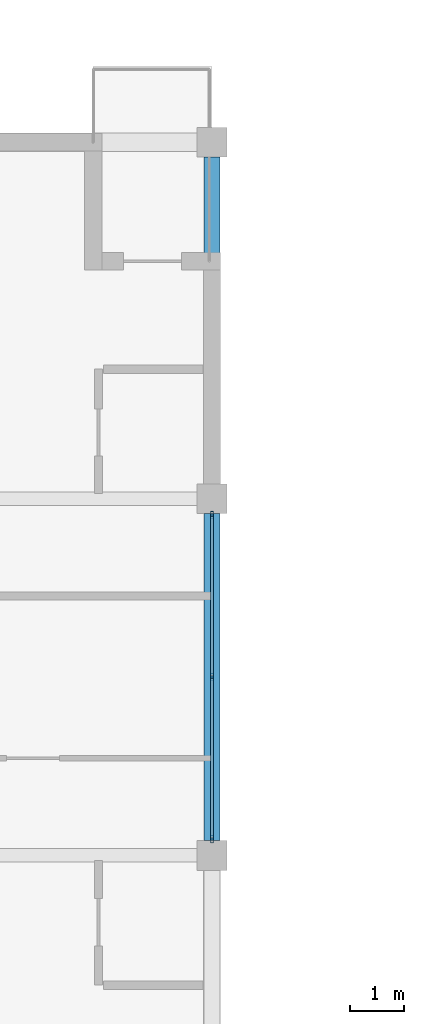
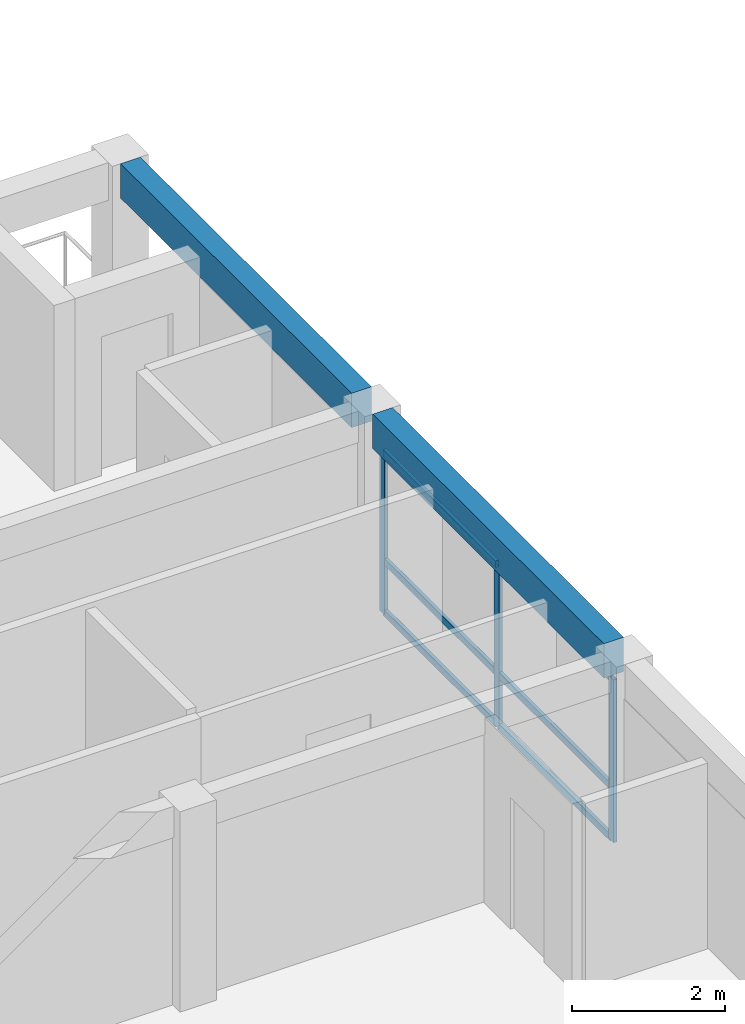
# One storey, part 18 of 53: 9 members, 2 beams, 1 element without a shape of its own.
"""IFC4 building model written with IfcOpenShell, lengths in metres."""

from ifc_helpers import new_model, si_unit, direction, frame, origin, origin_2d, place, context, subcontext, project, spatial, rectangle, hollow_rectangle, extrude, material, material_profile, profile_set, type_object, element, aggregate, save


model = new_model("IFC4")

# Units and contexts
model_context = context("Model", 3, precision=1e-05, world=origin(), true_north=direction((0.0, 1.0)))
body_context = subcontext(model_context, "Body", "Model", "MODEL_VIEW")
ifc_project = project(units=[si_unit("LENGTHUNIT", "METRE"), si_unit("AREAUNIT", "SQUARE_METRE"), si_unit("VOLUMEUNIT", "CUBIC_METRE"), si_unit("PLANEANGLEUNIT", "RADIAN"), si_unit("MASSUNIT", "GRAM", prefix="KILO")], contexts=[model_context])

# Site, building, storey
site_placement = place(None, origin())
site = spatial("IfcSite", under=ifc_project, at=site_placement, CompositionType="ELEMENT")
building_placement = place(site_placement, origin())
building = spatial("IfcBuilding", under=site, at=building_placement, Name="Kernevlak Ridge Housing Community", CompositionType="ELEMENT")
storey_placement = place(building_placement, frame((0.0, 0.0, 24.39990234375)))
storey = spatial("IfcBuildingStorey", under=building, at=storey_placement, Name="L07", CompositionType="ELEMENT", Elevation=24.39990234375)

# Curtain wall, members
ifc_material_1 = material(Name="Aluminium EN AW-6060 anodised and laminated glass", Category="aluminium")
curtain_wall_type = type_object("IfcCurtainWallType", Name="CW-09", PredefinedType="NOTDEFINED", material=ifc_material_1)
curtain_wall_placement = place(storey_placement, origin())
curtain_wall = element("IfcCurtainWall", 1, at=curtain_wall_placement, inside=storey, type_object=curtain_wall_type, Name="Curtain wall CW-09 CW-L07-024", PredefinedType="NOTDEFINED")
ifc_material_2 = material(Name="Aluminium EN AW-6060 anodised", Category="aluminium")
ifc_material_profile_1 = material_profile(ifc_material_2, hollow_rectangle(XDim=0.054931640625, YDim=0.139892578125, WallThickness=0.00390625, InnerFilletRadius=0.001953125, OuterFilletRadius=0.00390625, at=origin_2d()), Name="ALU 55x140x4")
ifc_profile_set_1 = profile_set([ifc_material_profile_1], Name="Aluminium EN AW-6060 anodised")
member_type_1 = type_object("IfcMemberType", Name="MU-01", PredefinedType="MULLION", material=ifc_profile_set_1)
member_1_placement = place(storey_placement, frame((48.60009765625, 82.902587890625, 0.0), z_axis=(0.0, 0.0, 1.0), x_axis=(-1.0, 0.0, 0.0)))
member_1 = element("IfcMember", 2, at=member_1_placement, type_object=member_type_1, Name="CW-09 mullion 1", PredefinedType="MULLION", context=body_context, shape_type="SweptSolid", body=[
    extrude(hollow_rectangle(XDim=0.054931640625, YDim=0.139892578125, WallThickness=0.00390625, InnerFilletRadius=0.001953125, OuterFilletRadius=0.00390625, at=origin_2d()), origin(), (0.0, 0.0, 1.0), 2.60009765625),
])
member_2_placement = place(storey_placement, frame((48.60009765625, 85.89990234375, 0.0), z_axis=(0.0, 0.0, 1.0), x_axis=(-1.0, 0.0, 0.0)))
member_2 = element("IfcMember", 3, at=member_2_placement, type_object=member_type_1, Name="CW-09 mullion 2", PredefinedType="MULLION", context=body_context, shape_type="SweptSolid", body=[
    extrude(hollow_rectangle(XDim=0.054931640625, YDim=0.139892578125, WallThickness=0.00390625, InnerFilletRadius=0.001953125, OuterFilletRadius=0.00390625, at=origin_2d()), origin(), (0.0, 0.0, 1.0), 2.60009765625),
])
member_3_placement = place(storey_placement, frame((48.60009765625, 88.8974609375, 0.0), z_axis=(0.0, 0.0, 1.0), x_axis=(-1.0, 0.0, 0.0)))
member_3 = element("IfcMember", 4, at=member_3_placement, type_object=member_type_1, Name="CW-09 mullion 3", PredefinedType="MULLION", context=body_context, shape_type="SweptSolid", body=[
    extrude(hollow_rectangle(XDim=0.054931640625, YDim=0.139892578125, WallThickness=0.00390625, InnerFilletRadius=0.001953125, OuterFilletRadius=0.00390625, at=origin_2d()), origin(), (0.0, 0.0, 1.0), 2.60009765625),
])

# Beams
ifc_material_3 = material(Name="Concrete C35/45", Category="concrete")
ifc_material_profile_2 = material_profile(ifc_material_3, rectangle(XDim=0.300048828125, YDim=0.550048828125, at=origin_2d()), Name="RC 300x550")
ifc_profile_set_2 = profile_set([ifc_material_profile_2], Name="Concrete C35/45")
beam_type = type_object("IfcBeamType", Name="SP-01", PredefinedType="SPANDREL", material=ifc_profile_set_2)
beam_1_placement = place(storey_placement, frame((48.60009765625, 82.875, 2.925048828125), z_axis=(0.0, 1.0, 0.0), x_axis=(-1.0, 0.0, 0.0)))
element("IfcBeam", 5, at=beam_1_placement, inside=storey, type_object=beam_type, Name="Beam SP-01 L07 263", PredefinedType="SPANDREL", context=body_context, shape_type="SweptSolid", body=[
    extrude(rectangle(XDim=0.300048828125, YDim=0.550048828125, at=origin_2d()), origin(), (0.0, 0.0, 1.0), 6.050048828125),
])
beam_2_placement = place(storey_placement, frame((48.60009765625, 89.47509765625, 2.925048828125), z_axis=(0.0, 1.0, 0.0), x_axis=(-1.0, 0.0, 0.0)))
element("IfcBeam", 6, at=beam_2_placement, inside=storey, type_object=beam_type, Name="Beam SP-01 L07 264", PredefinedType="SPANDREL", context=body_context, shape_type="SweptSolid", body=[
    extrude(rectangle(XDim=0.300048828125, YDim=0.550048828125, at=origin_2d()), origin(), (0.0, 0.0, 1.0), 6.0498046875),
])

# Member
ifc_material_profile_3 = material_profile(ifc_material_2, hollow_rectangle(XDim=0.054931640625, YDim=0.110107421875, WallThickness=0.00390625, InnerFilletRadius=0.001953125, OuterFilletRadius=0.00390625, at=origin_2d()), Name="ALU 55x110x4")
ifc_profile_set_3 = profile_set([ifc_material_profile_3], Name="Aluminium EN AW-6060 anodised")
member_type_2 = type_object("IfcMemberType", Name="TM-01", PredefinedType="USERDEFINED", material=ifc_profile_set_3)
member_4_placement = place(storey_placement, frame((48.60009765625, 82.929931640625, 0.027587890625), z_axis=(0.0, 1.0, 0.0), x_axis=(-1.0, 0.0, 0.0)))
member_4 = element("IfcMember", 7, at=member_4_placement, type_object=member_type_2, Name="CW-09 transom 1.1", ObjectType="TRANSOM", PredefinedType="USERDEFINED", context=body_context, shape_type="SweptSolid", body=[
    extrude(hollow_rectangle(XDim=0.054931640625, YDim=0.110107421875, WallThickness=0.00390625, InnerFilletRadius=0.001953125, OuterFilletRadius=0.00390625, at=origin_2d()), origin(), (0.0, 0.0, 1.0), 2.942626953125),
])

member_5_placement = place(storey_placement, frame((48.60009765625, 82.929931640625, 0.85009765625), z_axis=(0.0, 1.0, 0.0), x_axis=(-1.0, 0.0, 0.0)))
member_5 = element("IfcMember", 8, at=member_5_placement, type_object=member_type_2, Name="CW-09 transom 1.2", ObjectType="TRANSOM", PredefinedType="USERDEFINED", context=body_context, shape_type="SweptSolid", body=[
    extrude(hollow_rectangle(XDim=0.054931640625, YDim=0.110107421875, WallThickness=0.00390625, InnerFilletRadius=0.001953125, OuterFilletRadius=0.00390625, at=origin_2d()), origin(), (0.0, 0.0, 1.0), 2.942626953125),
])

member_6_placement = place(storey_placement, frame((48.60009765625, 82.929931640625, 2.572509765625), z_axis=(0.0, 1.0, 0.0), x_axis=(-1.0, 0.0, 0.0)))
member_6 = element("IfcMember", 9, at=member_6_placement, type_object=member_type_2, Name="CW-09 transom 1.3", ObjectType="TRANSOM", PredefinedType="USERDEFINED", context=body_context, shape_type="SweptSolid", body=[
    extrude(hollow_rectangle(XDim=0.054931640625, YDim=0.110107421875, WallThickness=0.00390625, InnerFilletRadius=0.001953125, OuterFilletRadius=0.00390625, at=origin_2d()), origin(), (0.0, 0.0, 1.0), 2.942626953125),
])

member_7_placement = place(storey_placement, frame((48.60009765625, 85.927490234375, 0.027587890625), z_axis=(0.0, 1.0, 0.0), x_axis=(-1.0, 0.0, 0.0)))
member_7 = element("IfcMember", 10, at=member_7_placement, type_object=member_type_2, Name="CW-09 transom 2.1", ObjectType="TRANSOM", PredefinedType="USERDEFINED", context=body_context, shape_type="SweptSolid", body=[
    extrude(hollow_rectangle(XDim=0.054931640625, YDim=0.110107421875, WallThickness=0.00390625, InnerFilletRadius=0.001953125, OuterFilletRadius=0.00390625, at=origin_2d()), origin(), (0.0, 0.0, 1.0), 2.942626953125),
])

member_8_placement = place(storey_placement, frame((48.60009765625, 85.927490234375, 0.85009765625), z_axis=(0.0, 1.0, 0.0), x_axis=(-1.0, 0.0, 0.0)))
member_8 = element("IfcMember", 11, at=member_8_placement, type_object=member_type_2, Name="CW-09 transom 2.2", ObjectType="TRANSOM", PredefinedType="USERDEFINED", context=body_context, shape_type="SweptSolid", body=[
    extrude(hollow_rectangle(XDim=0.054931640625, YDim=0.110107421875, WallThickness=0.00390625, InnerFilletRadius=0.001953125, OuterFilletRadius=0.00390625, at=origin_2d()), origin(), (0.0, 0.0, 1.0), 2.942626953125),
])

member_9_placement = place(storey_placement, frame((48.60009765625, 85.927490234375, 2.572509765625), z_axis=(0.0, 1.0, 0.0), x_axis=(-1.0, 0.0, 0.0)))
member_9 = element("IfcMember", 12, at=member_9_placement, type_object=member_type_2, Name="CW-09 transom 2.3", ObjectType="TRANSOM", PredefinedType="USERDEFINED", context=body_context, shape_type="SweptSolid", body=[
    extrude(hollow_rectangle(XDim=0.054931640625, YDim=0.110107421875, WallThickness=0.00390625, InnerFilletRadius=0.001953125, OuterFilletRadius=0.00390625, at=origin_2d()), origin(), (0.0, 0.0, 1.0), 2.942626953125),
])

aggregate(curtain_wall, [member_1, member_2, member_3, member_4, member_5, member_6, member_7, member_8, member_9])

save(model, "model.ifc")
